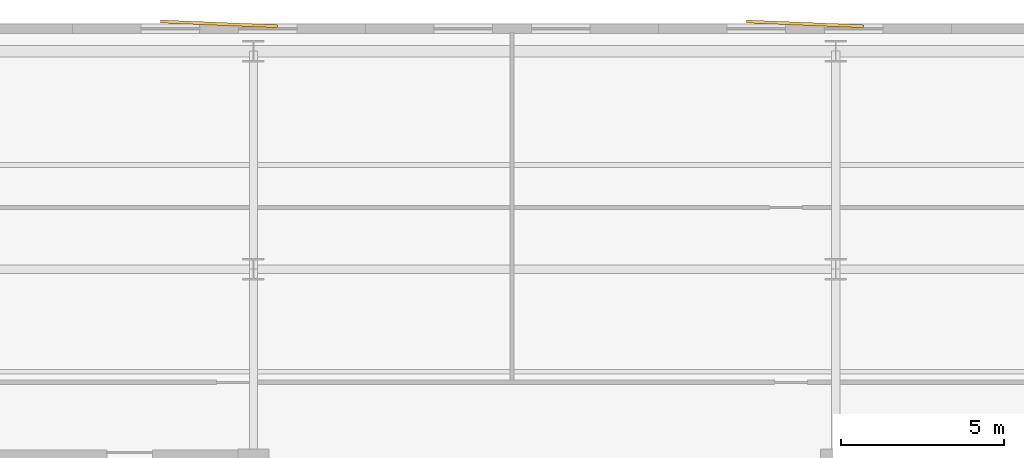
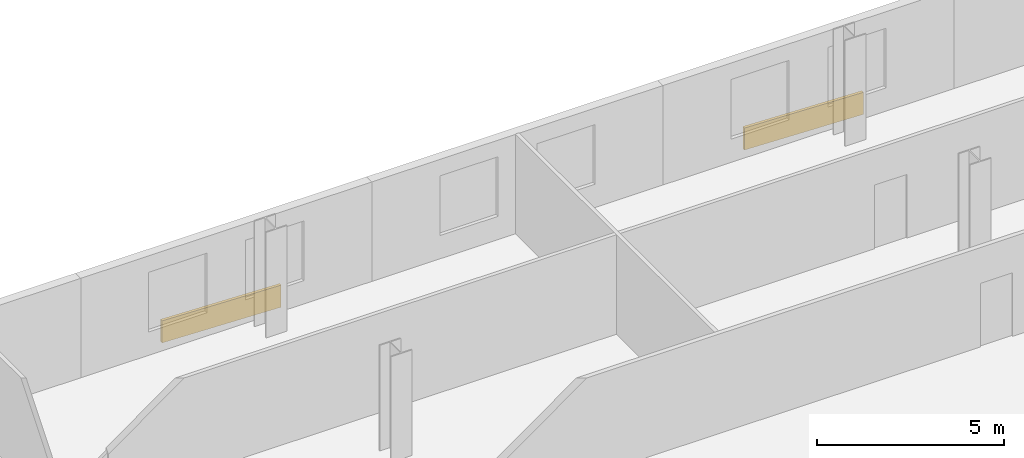
# One storey, part 10 of 10: 2 coverings.
"""IFC4 building model written with IfcOpenShell, lengths in metres."""

from ifc_helpers import new_model, si_unit, direction, frame, origin, origin_2d, place, context, subcontext, project, spatial, rectangle, extrude, material, layer, layer_set, type_object, element, save


model = new_model("IFC4")

# Units and contexts
model_context = context("Model", 3, precision=1e-05, world=origin(), true_north=direction((0.0, 1.0)))
body_context = subcontext(model_context, "Body", "Model", "MODEL_VIEW")
ifc_project = project(units=[si_unit("LENGTHUNIT", "METRE"), si_unit("AREAUNIT", "SQUARE_METRE"), si_unit("VOLUMEUNIT", "CUBIC_METRE"), si_unit("PLANEANGLEUNIT", "RADIAN"), si_unit("MASSUNIT", "GRAM", prefix="KILO")], contexts=[model_context])

# Site, building, storey
site_placement = place(None, origin())
site = spatial("IfcSite", under=ifc_project, at=site_placement, CompositionType="ELEMENT")
building_placement = place(site_placement, origin())
building = spatial("IfcBuilding", under=site, at=building_placement, Name="Velakula Bourse", CompositionType="ELEMENT")
storey_placement = place(building_placement, frame((0.0, 0.0, 145.0)))
storey = spatial("IfcBuildingStorey", under=building, at=storey_placement, Name="L39", CompositionType="ELEMENT", Elevation=145.0)

# Coverings
ifc_material = material(Name="Red kilned clay facing brick masonry", Category="masonry")
ifc_layer = layer(ifc_material, 0.090087890625, Name="Red kilned clay facing brick masonry", Category="masonry")
ifc_layer_set = layer_set([ifc_layer], Name="Red kilned clay facing brick masonry")
covering_type = type_object("IfcCoveringType", Name="COV-BRK-FOLD-90", PredefinedType="CLADDING", material=ifc_layer_set)
for number, where, z_axis, x_axis, name in (
    (1, (-10.0, 22.139892578125, 0.0), (0.0, 0.0, 1.0), (0.999158993058, -0.041003738744, 0.0), "L39 Folded Brick Facade Cladding Panel N-B2"),
    (2, (8.0, 22.139892578125, 0.0), (0.0, 0.0, 1.0), (0.999158993058, -0.041003738744, 0.0), "L39 Folded Brick Facade Cladding Panel N-B4"),
):
    element("IfcCovering", number, at=place(storey_placement, frame(where, z_axis=z_axis, x_axis=x_axis)), inside=storey, type_object=covering_type, Name=name, PredefinedType="CLADDING", context=body_context, shape_type="SweptSolid", body=[
        extrude(rectangle(XDim=3.60009765625, YDim=0.090087890625, at=origin_2d()), origin(), (0.0, 0.0, 1.0), 0.719970703125),
    ])

save(model, "model.ifc")
